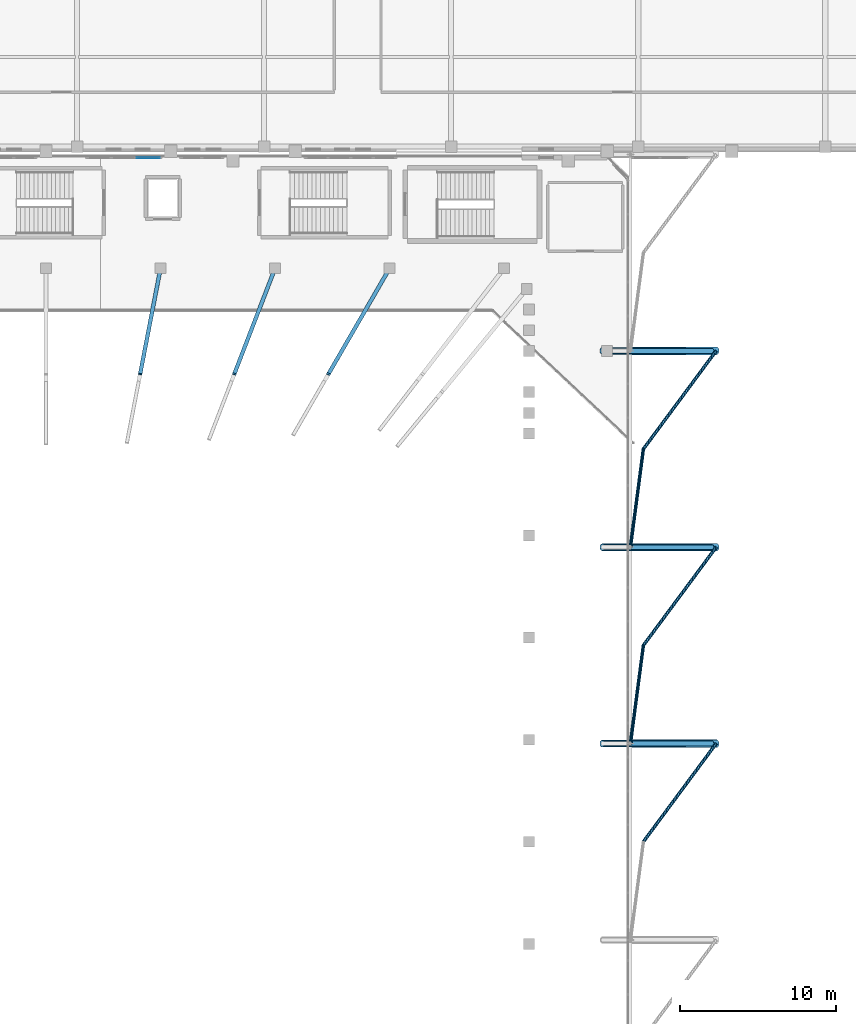
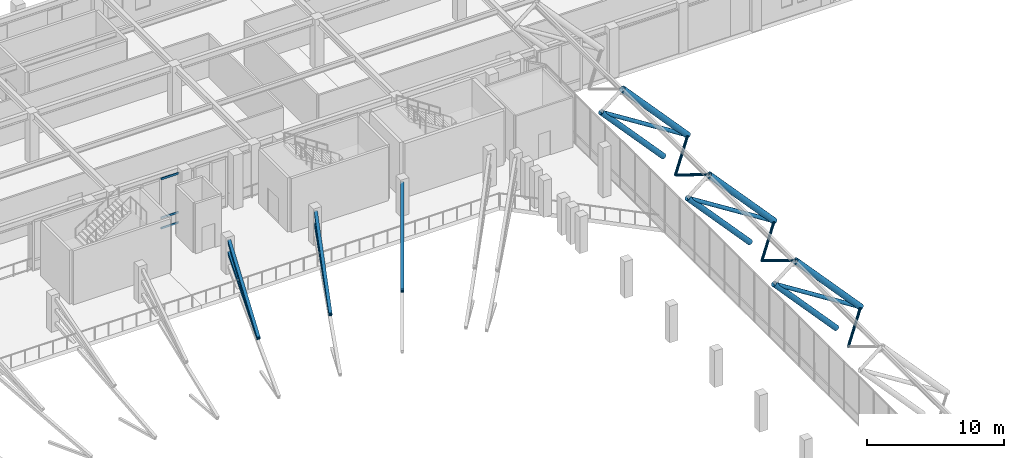
# One storey, part 29 of 79: 23 members, 1 element without a shape of its own.
"""IFC4 building model written with IfcOpenShell, lengths in metres."""

from ifc_helpers import new_model, si_unit, derived_unit, direction, frame, origin, origin_2d, place, context, subcontext, project, spatial, rectangle, hollow_rectangle, hollow_circle, extrude, material, layer, layer_set, material_profile, profile_set, type_object, element, aggregate, save


model = new_model("IFC4")

# Units and contexts
model_context = context("Model", 3, precision=1e-05, world=origin(), true_north=direction((0.0, 1.0)))
body_context = subcontext(model_context, "Body", "Model", "MODEL_VIEW")
ifc_project = project(units=[si_unit("LENGTHUNIT", "METRE"), si_unit("AREAUNIT", "SQUARE_METRE"), si_unit("VOLUMEUNIT", "CUBIC_METRE"), si_unit("PLANEANGLEUNIT", "RADIAN"), si_unit("MASSUNIT", "GRAM", prefix="KILO"), derived_unit("THERMALTRANSMITTANCEUNIT", [(si_unit("MASSUNIT", "GRAM", prefix="KILO"), 1), (si_unit("TIMEUNIT", "SECOND"), -3), (si_unit("THERMODYNAMICTEMPERATUREUNIT", "KELVIN"), -1)])], contexts=[model_context])

# Site, building, storey
site_placement = place(None, origin())
site = spatial("IfcSite", under=ifc_project, at=site_placement, CompositionType="ELEMENT")
building_placement = place(site_placement, origin())
building = spatial("IfcBuilding", under=site, at=building_placement, Name="Valcora Ridge Arena", CompositionType="ELEMENT")
storey_placement = place(building_placement, frame((0.0, 0.0, 16.199951171875)))
storey = spatial("IfcBuildingStorey", under=building, at=storey_placement, Name="L03", CompositionType="ELEMENT", Elevation=16.199951171875)

# Curtain wall, members
ifc_material_1 = material(Name="Anodised dark bronze architectural aluminium 6063-T6", Category="aluminium")
ifc_layer = layer(ifc_material_1, 0.179931640625, Name="Anodised dark bronze architectural aluminium 6063-T6")
ifc_layer_set = layer_set([ifc_layer], Name="Anodised dark bronze architectural aluminium 6063-T6")
curtain_wall_type = type_object("IfcCurtainWallType", Name="TY-CURTAINWALL-CW-V1-GOTH-047X44", PredefinedType="NOTDEFINED", material=ifc_layer_set)
curtain_wall_placement = place(storey_placement, origin())
curtain_wall = element("IfcCurtainWall", 1, at=curtain_wall_placement, inside=storey, type_object=curtain_wall_type, Name="CW-V1-GOTH-047X44 CW-0143", PredefinedType="NOTDEFINED")
ifc_material_profile_1 = material_profile(ifc_material_1, rectangle(XDim=0.06005859375, YDim=0.179931640625, at=origin_2d()), Name="ALU TRANSOM 60x180")
ifc_profile_set_1 = profile_set([ifc_material_profile_1], Name="Anodised dark bronze architectural aluminium 6063-T6")
member_type_1 = type_object("IfcMemberType", Name="TY-MEM-CWT-60x180", PredefinedType="USERDEFINED", material=ifc_profile_set_1)
member_1_placement = place(storey_placement, frame((63.80810546875, 108.0, 0.030029296875), z_axis=(1.0, 0.0, 0.0), x_axis=(0.0, 1.0, 0.0)))
member_1 = element("IfcMember", 2, at=member_1_placement, type_object=member_type_1, Name="CW-0143/CWT-60x180/T02-00", ObjectType="TRANSOM", PredefinedType="USERDEFINED", context=body_context, shape_type="SweptSolid", body=[
    extrude(rectangle(XDim=0.06005859375, YDim=0.179931640625, at=origin_2d()), origin(), (0.0, 0.0, 1.0), 1.491943359375),
])
member_2_placement = place(storey_placement, frame((63.80810546875, 108.0, 0.949951171875), z_axis=(1.0, 0.0, 0.0), x_axis=(0.0, 1.0, 0.0)))
member_2 = element("IfcMember", 3, at=member_2_placement, type_object=member_type_1, Name="CW-0143/CWT-60x180/T02-01", ObjectType="TRANSOM", PredefinedType="USERDEFINED", context=body_context, shape_type="SweptSolid", body=[
    extrude(rectangle(XDim=0.06005859375, YDim=0.179931640625, at=origin_2d()), origin(), (0.0, 0.0, 1.0), 1.491943359375),
])
member_3_placement = place(storey_placement, frame((63.80810546875, 108.0, 4.41015625), z_axis=(1.0, 0.0, 0.0), x_axis=(0.0, 1.0, 0.0)))
member_3 = element("IfcMember", 4, at=member_3_placement, type_object=member_type_1, Name="CW-0143/CWT-60x180/T02-02", ObjectType="TRANSOM", PredefinedType="USERDEFINED", context=body_context, shape_type="SweptSolid", body=[
    extrude(rectangle(XDim=0.06005859375, YDim=0.179931640625, at=origin_2d()), origin(), (0.0, 0.0, 1.0), 1.491943359375),
])
aggregate(curtain_wall, [member_1, member_2, member_3])

# Members
ifc_material_2 = material(Name="Steel ASTM A500 Grade C", Category="steel")
ifc_material_profile_2 = material_profile(ifc_material_2, hollow_rectangle(XDim=0.25, YDim=0.25, WallThickness=0.012451171875, at=origin_2d()), Name="HSS250X250X12")
ifc_profile_set_2 = profile_set([ifc_material_profile_2], Name="Steel ASTM A500 Grade C")
member_type_2 = type_object("IfcMemberType", Name="TY-MEMBER-RKRUC-251", PredefinedType="CHORD", material=ifc_profile_set_2)
member_4_placement = place(storey_placement, frame((76.12109375, 94.109619140625, -1.50927734375), z_axis=(0.432991581659, 0.748351377508, 0.502482343963), x_axis=(-0.865558897292, 0.500807143838, 0.0)))
element("IfcMember", 5, at=member_4_placement, inside=storey, type_object=member_type_2, Name="RKRUC-251 MBR-RK-RKRUC-251-0013", PredefinedType="CHORD", context=body_context, shape_type="SweptSolid", body=[
    extrude(hollow_rectangle(XDim=0.25, YDim=0.25, WallThickness=0.012451171875, at=origin_2d()), origin(), (0.0, 0.0, 1.0), 8.793701171875),
])
member_5_placement = place(storey_placement, frame((70.08544921875, 94.121337890625, -1.50146484375), z_axis=(0.30494831257, 0.790675424976, 0.530885014856), x_axis=(-0.933012155096, 0.359844853295, 0.0)))
element("IfcMember", 6, at=member_5_placement, inside=storey, type_object=member_type_2, Name="RKRUC-251 MBR-RK-RKRUC-251-0014", PredefinedType="CHORD", context=body_context, shape_type="SweptSolid", body=[
    extrude(hollow_rectangle(XDim=0.25, YDim=0.25, WallThickness=0.012451171875, at=origin_2d()), origin(), (0.0, 0.0, 1.0), 8.29345703125),
])
member_6_placement = place(storey_placement, frame((64.044189453125, 94.12939453125, -1.495849609375), z_axis=(0.15809924843, 0.819778413767, 0.550425271919), x_axis=(-0.981906452279, 0.189366625818, 0.0)))
element("IfcMember", 7, at=member_6_placement, inside=storey, type_object=member_type_2, Name="RKRUC-251 MBR-RK-RKRUC-251-0015", PredefinedType="CHORD", context=body_context, shape_type="SweptSolid", body=[
    extrude(hollow_rectangle(XDim=0.25, YDim=0.25, WallThickness=0.012451171875, at=origin_2d()), origin(), (0.0, 0.0, 1.0), 7.97900390625),
])
ifc_material_profile_3 = material_profile(ifc_material_2, hollow_rectangle(XDim=0.25, YDim=0.25, WallThickness=0.012451171875, at=origin_2d()), Name="HSS250X250X12")
ifc_profile_set_3 = profile_set([ifc_material_profile_3], Name="Steel ASTM A500 Grade C")
member_type_3 = type_object("IfcMemberType", Name="TY-MEMBER-RKRUT-250", PredefinedType="BRACE", material=ifc_profile_set_3)
member_7_placement = place(storey_placement, frame((76.128173828125, 94.121337890625, -1.486083984375), z_axis=(0.457491614619, 0.790769501065, 0.406675569389), x_axis=(-0.865579222082, 0.500772014294, 0.0)))
element("IfcMember", 8, at=member_7_placement, inside=storey, type_object=member_type_3, Name="RKRUT-250 Raker Tie Brace", PredefinedType="BRACE", context=body_context, shape_type="SweptSolid", body=[
    extrude(hollow_rectangle(XDim=0.25, YDim=0.25, WallThickness=0.012451171875, at=origin_2d()), origin(), (0.0, 0.0, 1.0), 8.29248046875),
])
member_8_placement = place(storey_placement, frame((70.0908203125, 94.135498046875, -1.478759765625), z_axis=(0.324452528948, 0.841186037969, 0.432592887118), x_axis=(-0.933003499117, 0.359867295868, 0.0)))
element("IfcMember", 9, at=member_8_placement, inside=storey, type_object=member_type_3, Name="RKRUT-250 Raker Tie Brace", PredefinedType="BRACE", context=body_context, shape_type="SweptSolid", body=[
    extrude(hollow_rectangle(XDim=0.25, YDim=0.25, WallThickness=0.012451171875, at=origin_2d()), origin(), (0.0, 0.0, 1.0), 7.76171875),
])
member_9_placement = place(storey_placement, frame((64.04736328125, 94.1455078125, -1.4736328125), z_axis=(0.169045934317, 0.876494293043, 0.450756282657), x_axis=(-0.981904643351, 0.189376005255, 0.0)))
element("IfcMember", 10, at=member_9_placement, inside=storey, type_object=member_type_3, Name="RKRUT-250 Raker Tie Brace", PredefinedType="BRACE", context=body_context, shape_type="SweptSolid", body=[
    extrude(hollow_rectangle(XDim=0.25, YDim=0.25, WallThickness=0.012451171875, at=origin_2d()), origin(), (0.0, 0.0, 1.0), 7.42626953125),
])
ifc_material_profile_4 = material_profile(ifc_material_2, hollow_circle(Radius=0.228515625, WallThickness=0.01611328125, at=origin_2d()), Name="CHS457X16")
ifc_profile_set_4 = profile_set([ifc_material_profile_4], Name="Steel ASTM A500 Grade C")
member_type_4 = type_object("IfcMemberType", Name="TY-MEMBER-SFBC-457", PredefinedType="CHORD", material=ifc_profile_set_4)
for number, where, z_axis, x_axis, name in (
    (11, (93.705322265625, 70.39990234375, 7.423095703125), (0.672624540647, 0.0, -0.739983937204), (0.0, 1.0, 0.0), "SFBC-457 Space Frame Bottom Chord"),
    (12, (93.705322265625, 83.0, 7.423095703125), (0.672624540647, 0.0, -0.739983937204), (0.0, 1.0, 0.0), "SFBC-457 Space Frame Bottom Chord"),
    (13, (93.705322265625, 95.60009765625, 7.423095703125), (0.672624540647, 0.0, -0.739983937204), (0.0, 1.0, 0.0), "SFBC-457 Space Frame Bottom Chord"),
):
    element("IfcMember", number, at=place(storey_placement, frame(where, z_axis=z_axis, x_axis=x_axis)), inside=storey, type_object=member_type_4, Name=name, PredefinedType="CHORD", context=body_context, shape_type="SweptSolid", body=[
        extrude(hollow_circle(Radius=0.228515625, WallThickness=0.01611328125, at=origin_2d()), origin(), (0.0, 0.0, 1.0), 7.80712890625),
    ])
ifc_material_profile_5 = material_profile(ifc_material_2, hollow_circle(Radius=0.109619140625, WallThickness=0.010009765625, at=origin_2d()), Name="CHS219X10")
ifc_profile_set_5 = profile_set([ifc_material_profile_5], Name="Steel ASTM A500 Grade C")
member_type_5 = type_object("IfcMemberType", Name="TY-MEMBER-SFST-219", PredefinedType="STRUT", material=ifc_profile_set_5)
member_10_placement = place(storey_placement, frame((96.330810546875, 64.10009765625, 4.74072265625), z_axis=(0.578071526818, 0.779950728263, -0.239812783988), x_axis=(-0.80339445871, 0.595447179617, 0.0)))
element("IfcMember", 14, at=member_10_placement, inside=storey, type_object=member_type_5, Name="SFST-219 Space Frame Tie Strut", PredefinedType="STRUT", context=body_context, shape_type="SweptSolid", body=[
    extrude(hollow_circle(Radius=0.109619140625, WallThickness=0.010009765625, at=origin_2d()), origin(), (0.0, 0.0, 1.0), 8.0771484375),
])
member_11_placement = place(storey_placement, frame((96.330810546875, 76.699951171875, 4.74072265625), z_axis=(-0.109753225091, -0.832260350709, 0.543412309595), x_axis=(0.991416462076, -0.130741725264, 0.0)))
element("IfcMember", 15, at=member_11_placement, inside=storey, type_object=member_type_5, Name="SFST-219 Space Frame Tie Strut", PredefinedType="STRUT", context=body_context, shape_type="SweptSolid", body=[
    extrude(hollow_circle(Radius=0.109619140625, WallThickness=0.010009765625, at=origin_2d()), origin(), (0.0, 0.0, 1.0), 7.56982421875),
])
member_12_placement = place(storey_placement, frame((96.330810546875, 76.699951171875, 4.74072265625), z_axis=(0.578057899138, 0.779962566654, -0.23980713055), x_axis=(-0.803405497259, 0.595432285801, 0.0)))
element("IfcMember", 16, at=member_12_placement, inside=storey, type_object=member_type_5, Name="SFST-219 Space Frame Tie Strut", PredefinedType="STRUT", context=body_context, shape_type="SweptSolid", body=[
    extrude(hollow_circle(Radius=0.109619140625, WallThickness=0.010009765625, at=origin_2d()), origin(), (0.0, 0.0, 1.0), 8.077392578125),
])
member_13_placement = place(storey_placement, frame((96.330810546875, 89.300048828125, 4.74072265625), z_axis=(-0.109753225091, -0.832260350709, 0.543412309595), x_axis=(0.991416462076, -0.130741725264, 0.0)))
element("IfcMember", 17, at=member_13_placement, inside=storey, type_object=member_type_5, Name="SFST-219 Space Frame Tie Strut", PredefinedType="STRUT", context=body_context, shape_type="SweptSolid", body=[
    extrude(hollow_circle(Radius=0.109619140625, WallThickness=0.010009765625, at=origin_2d()), origin(), (0.0, 0.0, 1.0), 7.56982421875),
])
member_14_placement = place(storey_placement, frame((96.330810546875, 89.300048828125, 4.74072265625), z_axis=(0.578057899138, 0.779962566654, -0.23980713055), x_axis=(-0.803405497259, 0.595432285801, 0.0)))
element("IfcMember", 18, at=member_14_placement, inside=storey, type_object=member_type_5, Name="SFST-219 Space Frame Tie Strut", PredefinedType="STRUT", context=body_context, shape_type="SweptSolid", body=[
    extrude(hollow_circle(Radius=0.109619140625, WallThickness=0.010009765625, at=origin_2d()), origin(), (0.0, 0.0, 1.0), 8.077392578125),
])
ifc_material_profile_6 = material_profile(ifc_material_2, hollow_circle(Radius=0.25390625, WallThickness=0.01611328125, at=origin_2d()), Name="CHS508X16")
ifc_profile_set_6 = profile_set([ifc_material_profile_6], Name="Steel ASTM A500 Grade C")
member_type_6 = type_object("IfcMemberType", Name="TY-MEMBER-SFTC-508", PredefinedType="CHORD", material=ifc_profile_set_6)
for number, where, z_axis, x_axis, name in (
    (19, (95.5, 70.39990234375, 8.854248046875), (0.672640098199, 0.0, -0.739969795529), (0.0, 1.0, 0.0), "SFTC-508 Space Frame Top Chord"),
    (20, (95.5, 83.0, 8.854248046875), (0.672640098199, 0.0, -0.739969795529), (0.0, 1.0, 0.0), "SFTC-508 Space Frame Top Chord"),
    (21, (95.5, 95.60009765625, 8.854248046875), (0.672640098199, 0.0, -0.739969795529), (0.0, 1.0, 0.0), "SFTC-508 Space Frame Top Chord"),
):
    element("IfcMember", number, at=place(storey_placement, frame(where, z_axis=z_axis, x_axis=x_axis)), inside=storey, type_object=member_type_6, Name=name, PredefinedType="CHORD", context=body_context, shape_type="SweptSolid", body=[
        extrude(hollow_circle(Radius=0.25390625, WallThickness=0.01611328125, at=origin_2d()), origin(), (0.0, 0.0, 1.0), 8.1767578125),
    ])
ifc_material_profile_7 = material_profile(ifc_material_2, hollow_circle(Radius=0.161865234375, WallThickness=0.012451171875, at=origin_2d()), Name="CHS323X12")
ifc_profile_set_7 = profile_set([ifc_material_profile_7], Name="Steel ASTM A500 Grade C")
member_type_7 = type_object("IfcMemberType", Name="TY-MEMBER-SFWB-323", PredefinedType="BRACE", material=ifc_profile_set_7)
for number, where, z_axis, x_axis, name in (
    (22, (93.840576171875, 70.39990234375, 7.33740234375), (0.84484331641, 0.0, -0.535013804231), (0.0, 1.0, 0.0), "SFWB-323 Space Frame Diagonal Brace"),
    (23, (93.840576171875, 83.0, 7.33740234375), (0.84484331641, 0.0, -0.535013804231), (0.0, 1.0, 0.0), "SFWB-323 Space Frame Diagonal Brace"),
    (24, (93.840576171875, 95.60009765625, 7.33740234375), (0.84484331641, 0.0, -0.535013804231), (0.0, 1.0, 0.0), "SFWB-323 Space Frame Diagonal Brace"),
):
    element("IfcMember", number, at=place(storey_placement, frame(where, z_axis=z_axis, x_axis=x_axis)), inside=storey, type_object=member_type_7, Name=name, PredefinedType="BRACE", context=body_context, shape_type="SweptSolid", body=[
        extrude(hollow_circle(Radius=0.161865234375, WallThickness=0.012451171875, at=origin_2d()), origin(), (0.0, 0.0, 1.0), 8.1943359375),
    ])

save(model, "model.ifc")
